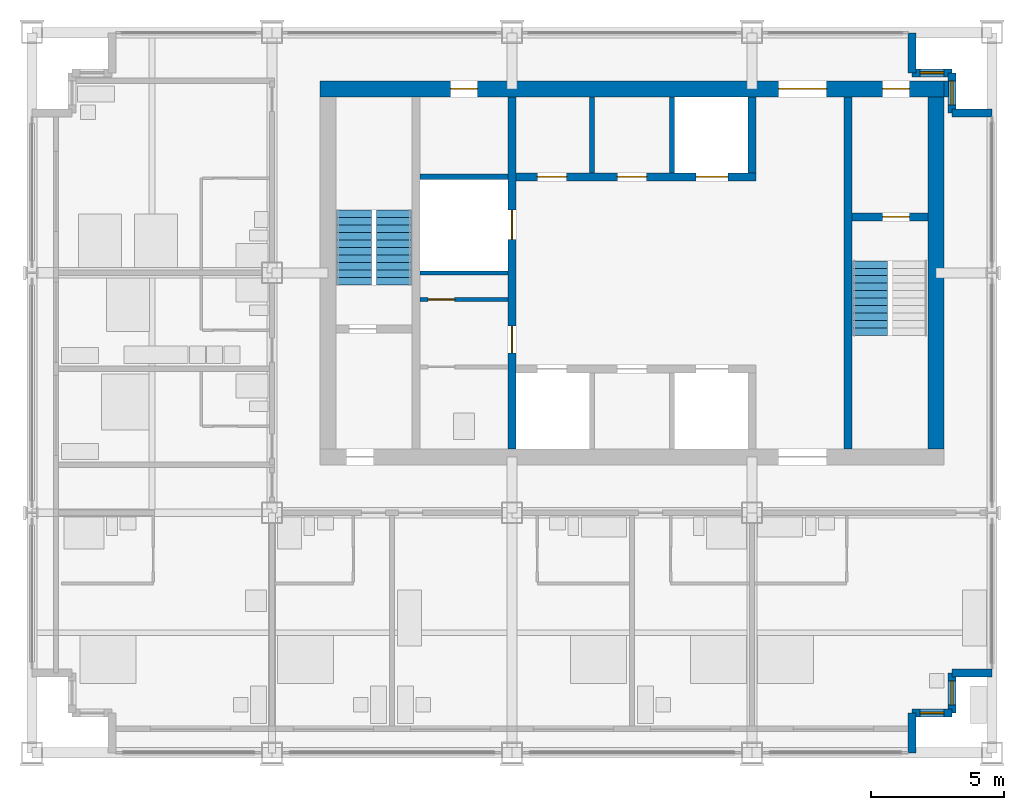
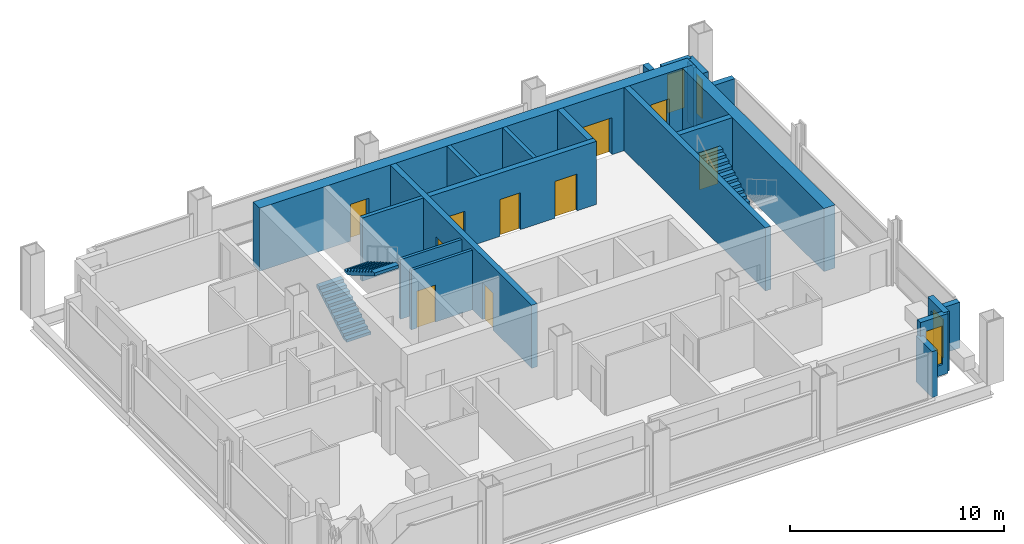
# One storey, part 8 of 12: 21 walls, 10 doors, 4 windows, 3 stair flights, 14 openings, 2 elements without a shape of their own.
"""IFC4 building model written with IfcOpenShell, lengths in metres."""

from ifc_helpers import new_model, si_unit, direction, frame, frame_2d, origin, place, context, subcontext, project, spatial, polyline, rectangle, outline, extrude, material, layer, layer_set, type_object, element, fill, aggregate, save


model = new_model("IFC4")

# Units and contexts
model_context = context("Model", 3, precision=1e-05, world=origin(), true_north=direction((0.0, 1.0)))
body_context = subcontext(model_context, "Body", "Model", "MODEL_VIEW")
ifc_project = project(units=[si_unit("LENGTHUNIT", "METRE"), si_unit("AREAUNIT", "SQUARE_METRE"), si_unit("VOLUMEUNIT", "CUBIC_METRE"), si_unit("PLANEANGLEUNIT", "RADIAN"), si_unit("MASSUNIT", "GRAM", prefix="KILO")], contexts=[model_context])

# Site, building, storey
site_placement = place(None, origin())
site = spatial("IfcSite", under=ifc_project, at=site_placement, CompositionType="ELEMENT")
building_placement = place(site_placement, origin())
building = spatial("IfcBuilding", under=site, at=building_placement, Name="Loomwork Tower", CompositionType="ELEMENT")
storey_placement = place(building_placement, frame((0.0, 0.0, 233.800048828125)))
storey = spatial("IfcBuildingStorey", under=building, at=storey_placement, Name="L64", CompositionType="ELEMENT", Elevation=233.800048828125)

# Wall, openings, doors
ifc_material_1 = material(Name="Concrete 14000 psi (97 MPa)", Category="concrete")
ifc_layer_1 = layer(ifc_material_1, 0.300048828125)
ifc_layer_set_1 = layer_set([ifc_layer_1], Name="Core shear wall 300")
wall_type_1 = type_object("IfcWallType", Name="Core shear wall 300", PredefinedType="SHEAR", material=ifc_layer_set_1)
wall_1_placement = place(storey_placement, frame((18.0, 11.39990234375, 0.0), z_axis=(0.0, 0.0, 1.0), x_axis=(0.0, 1.0, 0.0)))
wall_1 = element("IfcWall", 1, at=wall_1_placement, inside=storey, type_object=wall_type_1, Name="Lobby west wall L64", PredefinedType="SHEAR", context=body_context, shape_type="SweptSolid", body=[
    extrude(rectangle(XDim=13.2001953125, YDim=0.300048828125, at=frame_2d((6.60009765625, 0.0))), origin(), (0.0, 0.0, 1.0), 3.599853515625),
])
opening_1_placement = place(wall_1_placement, frame((3.60009765625, 0.0, 0.0)))
opening_1 = element("IfcOpeningElement", 2, at=opening_1_placement, cuts=wall_1, Name="Opening D5", PredefinedType="OPENING", context=body_context, shape_type="SweptSolid", body=[
    extrude(rectangle(XDim=1.0, YDim=2.10009765625, at=frame_2d((0.5, 1.050048828125))), frame((0.0, 0.159912109375, 0.0), z_axis=(0.0, -1.0, 0.0), x_axis=(1.0, 0.0, 0.0)), (0.0, 0.0, 1.0), 0.320068359375),
])
opening_2_placement = place(wall_1_placement, frame((7.85009765625, 0.0, 0.0)))
opening_2 = element("IfcOpeningElement", 3, at=opening_2_placement, cuts=wall_1, Name="Opening LD1", PredefinedType="OPENING", context=body_context, shape_type="SweptSolid", body=[
    extrude(rectangle(XDim=1.10009765625, YDim=2.10009765625, at=frame_2d((0.550048828125, 1.050048828125))), frame((0.0, 0.159912109375, 0.0), z_axis=(0.0, -1.0, 0.0), x_axis=(1.0, 0.0, 0.0)), (0.0, 0.0, 1.0), 0.320068359375),
])
ifc_material_2 = material(Name="Hollow metal door and frame")
door_type_1 = type_object("IfcDoorType", Name="Lift landing door 1100", OperationType="SLIDING_TO_LEFT", PredefinedType="DOOR", material=ifc_material_2)
door_1_placement = place(opening_2_placement, origin())
door_1 = element("IfcDoor", 4, at=door_1_placement, inside=storey, type_object=door_type_1, Name="Lift landing door LC2", OperationType="SLIDING_TO_LEFT", OverallHeight=2.10009765625, OverallWidth=1.10009765625, PredefinedType="DOOR", context=body_context, shape_type="SweptSolid", body=[
    extrude(rectangle(XDim=1.10009765625, YDim=2.10009765625, at=frame_2d((0.550048828125, 1.050048828125))), frame((0.0, 0.02490234375, 0.0), z_axis=(0.0, -1.0, 0.0), x_axis=(1.0, 0.0, 0.0)), (0.0, 0.0, 1.0), 0.050048828125),
])
fill(opening_2, door_1)
ifc_material_3 = material(Name="Hollow metal door and frame")
door_type_2 = type_object("IfcDoorType", Name="Service door 1000", OperationType="SINGLE_SWING_LEFT", PredefinedType="DOOR", material=ifc_material_3)
door_2_placement = place(opening_1_placement, origin())
door_2 = element("IfcDoor", 5, at=door_2_placement, inside=storey, type_object=door_type_2, Name="Back-of-house door south", OperationType="SINGLE_SWING_LEFT", OverallHeight=2.10009765625, OverallWidth=1.0, PredefinedType="DOOR", context=body_context, shape_type="SweptSolid", body=[
    extrude(rectangle(XDim=1.0, YDim=2.10009765625, at=frame_2d((0.5, 1.050048828125))), frame((0.0, 0.02490234375, 0.0), z_axis=(0.0, -1.0, 0.0), x_axis=(1.0, 0.0, 0.0)), (0.0, 0.0, 1.0), 0.050048828125),
])
fill(opening_1, door_2)

wall_2_placement = place(storey_placement, frame((18.14990234375, 21.60009765625, 0.0), z_axis=(0.0, 0.0, 1.0), x_axis=(1.0, 0.0, 0.0)))
wall_2 = element("IfcWall", 6, at=wall_2_placement, inside=storey, type_object=wall_type_1, Name="Lift front wall north L64", PredefinedType="SHEAR", context=body_context, shape_type="SweptSolid", body=[
    extrude(rectangle(XDim=9.0, YDim=0.300048828125, at=frame_2d((4.5, 0.0))), origin(), (0.0, 0.0, 1.0), 3.599853515625),
])
opening_3_placement = place(wall_2_placement, frame((6.75, 0.0, 0.0)))
opening_3 = element("IfcOpeningElement", 7, at=opening_3_placement, cuts=wall_2, Name="Opening LD2", PredefinedType="OPENING", context=body_context, shape_type="SweptSolid", body=[
    extrude(rectangle(XDim=1.199951171875, YDim=2.10009765625, at=frame_2d((0.60009765625, 1.050048828125))), frame((0.0, 0.159912109375, 0.0), z_axis=(0.0, -1.0, 0.0), x_axis=(1.0, 0.0, 0.0)), (0.0, 0.0, 1.0), 0.320068359375),
])
opening_4_placement = place(wall_2_placement, frame((0.800048828125, 0.0, 0.0)))
opening_4 = element("IfcOpeningElement", 8, at=opening_4_placement, cuts=wall_2, Name="Opening D17", PredefinedType="OPENING", context=body_context, shape_type="SweptSolid", body=[
    extrude(rectangle(XDim=1.10009765625, YDim=2.10009765625, at=frame_2d((0.550048828125, 1.050048828125))), frame((0.0, 0.159912109375, 0.0), z_axis=(0.0, -1.0, 0.0), x_axis=(1.0, 0.0, 0.0)), (0.0, 0.0, 1.0), 0.320068359375),
])
opening_5_placement = place(wall_2_placement, frame((3.800048828125, 0.0, 0.0)))
opening_5 = element("IfcOpeningElement", 9, at=opening_5_placement, cuts=wall_2, Name="Opening D17", PredefinedType="OPENING", context=body_context, shape_type="SweptSolid", body=[
    extrude(rectangle(XDim=1.10009765625, YDim=2.10009765625, at=frame_2d((0.550048828125, 1.050048828125))), frame((0.0, 0.159912109375, 0.0), z_axis=(0.0, -1.0, 0.0), x_axis=(1.0, 0.0, 0.0)), (0.0, 0.0, 1.0), 0.320068359375),
])
ifc_material_4 = material(Name="Hollow metal door and frame")
door_type_3 = type_object("IfcDoorType", Name="Lift landing door 1200", OperationType="SLIDING_TO_LEFT", PredefinedType="DOOR", material=ifc_material_4)
door_3_placement = place(opening_3_placement, origin())
door_3 = element("IfcDoor", 10, at=door_3_placement, inside=storey, type_object=door_type_3, Name="Lift landing door LF2", OperationType="SLIDING_TO_LEFT", OverallHeight=2.10009765625, OverallWidth=1.199951171875, PredefinedType="DOOR", context=body_context, shape_type="SweptSolid", body=[
    extrude(rectangle(XDim=1.199951171875, YDim=2.10009765625, at=frame_2d((0.60009765625, 1.050048828125))), frame((0.0, 0.02490234375, 0.0), z_axis=(0.0, -1.0, 0.0), x_axis=(1.0, 0.0, 0.0)), (0.0, 0.0, 1.0), 0.050048828125),
])
fill(opening_3, door_3)
ifc_material_5 = material(Name="Hollow metal door and frame")
door_type_4 = type_object("IfcDoorType", Name="Service room door 1100", OperationType="SINGLE_SWING_LEFT", PredefinedType="DOOR", material=ifc_material_5)
door_4_placement = place(opening_4_placement, origin())
door_4 = element("IfcDoor", 11, at=door_4_placement, inside=storey, type_object=door_type_4, Name="Housekeeping store door L64", OperationType="SINGLE_SWING_LEFT", OverallHeight=2.10009765625, OverallWidth=1.10009765625, PredefinedType="DOOR", context=body_context, shape_type="SweptSolid", body=[
    extrude(rectangle(XDim=1.10009765625, YDim=2.10009765625, at=frame_2d((0.550048828125, 1.050048828125))), frame((0.0, 0.02490234375, 0.0), z_axis=(0.0, -1.0, 0.0), x_axis=(1.0, 0.0, 0.0)), (0.0, 0.0, 1.0), 0.050048828125),
])
fill(opening_4, door_4)
door_5_placement = place(opening_5_placement, origin())
door_5 = element("IfcDoor", 12, at=door_5_placement, inside=storey, type_object=door_type_4, Name="Guest pantry, ice and vending door L64", OperationType="SINGLE_SWING_LEFT", OverallHeight=2.10009765625, OverallWidth=1.10009765625, PredefinedType="DOOR", context=body_context, shape_type="SweptSolid", body=[
    extrude(rectangle(XDim=1.10009765625, YDim=2.10009765625, at=frame_2d((0.550048828125, 1.050048828125))), frame((0.0, 0.02490234375, 0.0), z_axis=(0.0, -1.0, 0.0), x_axis=(1.0, 0.0, 0.0)), (0.0, 0.0, 1.0), 0.050048828125),
])
fill(opening_5, door_5)

# Walls
wall_3_placement = place(storey_placement, frame((27.0, 21.75, 0.0), z_axis=(0.0, 0.0, 1.0), x_axis=(0.0, 1.0, 0.0)))
element("IfcWall", 13, at=wall_3_placement, inside=storey, type_object=wall_type_1, Name="Lift shaft end wall north L64", PredefinedType="SHEAR", context=body_context, shape_type="SweptSolid", body=[
    extrude(rectangle(XDim=2.85009765625, YDim=0.300048828125, at=frame_2d((1.425048828125, 0.0))), origin(), (0.0, 0.0, 1.0), 3.599853515625),
])
wall_4_placement = place(storey_placement, frame((30.60009765625, 11.39990234375, 0.0), z_axis=(0.0, 0.0, 1.0), x_axis=(0.0, 1.0, 0.0)))
element("IfcWall", 14, at=wall_4_placement, inside=storey, type_object=wall_type_1, Name="Stair B west wall L64", PredefinedType="SHEAR", context=body_context, shape_type="SweptSolid", body=[
    extrude(rectangle(XDim=13.2001953125, YDim=0.300048828125, at=frame_2d((6.60009765625, 0.0))), origin(), (0.0, 0.0, 1.0), 3.599853515625),
])

# Wall, opening, door
wall_5_placement = place(storey_placement, frame((30.75, 20.10009765625, 0.0), z_axis=(0.0, 0.0, 1.0), x_axis=(1.0, 0.0, 0.0)))
wall_5 = element("IfcWall", 15, at=wall_5_placement, inside=storey, type_object=wall_type_1, Name="Stair B north wall L64", PredefinedType="SHEAR", context=body_context, shape_type="SweptSolid", body=[
    extrude(rectangle(XDim=2.85009765625, YDim=0.300048828125, at=frame_2d((1.425048828125, 0.0))), origin(), (0.0, 0.0, 1.0), 3.599853515625),
])
opening_6_placement = place(wall_5_placement, frame((1.14990234375, 0.0, 0.0)))
opening_6 = element("IfcOpeningElement", 16, at=opening_6_placement, cuts=wall_5, Name="Opening D4", PredefinedType="OPENING", context=body_context, shape_type="SweptSolid", body=[
    extrude(rectangle(XDim=1.0, YDim=2.10009765625, at=frame_2d((0.5, 1.050048828125))), frame((0.0, 0.159912109375, 0.0), z_axis=(0.0, -1.0, 0.0), x_axis=(1.0, 0.0, 0.0)), (0.0, 0.0, 1.0), 0.320068359375),
])
ifc_material_6 = material(Name="Hollow metal door and frame")
door_type_5 = type_object("IfcDoorType", Name="Stair door 1000", OperationType="SINGLE_SWING_RIGHT", PredefinedType="DOOR", material=ifc_material_6)
door_6_placement = place(opening_6_placement, frame((1.0, 0.0, 0.0), z_axis=(0.0, 0.0, 1.0), x_axis=(-1.0, 0.0, 0.0)))
door_6 = element("IfcDoor", 17, at=door_6_placement, inside=storey, type_object=door_type_5, Name="Stair B door", OperationType="SINGLE_SWING_LEFT", OverallHeight=2.10009765625, OverallWidth=1.0, PredefinedType="DOOR", context=body_context, shape_type="SweptSolid", body=[
    extrude(rectangle(XDim=1.0, YDim=2.10009765625, at=frame_2d((0.5, 1.050048828125))), frame((0.0, 0.02490234375, 0.0), z_axis=(0.0, -1.0, 0.0), x_axis=(1.0, 0.0, 0.0)), (0.0, 0.0, 1.0), 0.050048828125),
])
fill(opening_6, door_6)

# Wall, openings, doors
ifc_material_7 = material(Name="Concrete 14000 psi (97 MPa)", Category="concrete")
ifc_layer_2 = layer(ifc_material_7, 0.60009765625)
ifc_layer_set_2 = layer_set([ifc_layer_2], Name="Core shear wall 600")
wall_type_2 = type_object("IfcWallType", Name="Core shear wall 600", PredefinedType="SHEAR", material=ifc_layer_set_2)
wall_6_placement = place(storey_placement, frame((10.800048828125, 24.89990234375, 0.0), z_axis=(0.0, 0.0, 1.0), x_axis=(1.0, 0.0, 0.0)))
wall_6 = element("IfcWall", 18, at=wall_6_placement, inside=storey, type_object=wall_type_2, Name="Core wall north L64", PredefinedType="SHEAR", context=body_context, shape_type="SweptSolid", body=[
    extrude(rectangle(XDim=23.39990234375, YDim=0.60009765625, at=frame_2d((11.699951171875, 0.0))), origin(), (0.0, 0.0, 1.0), 3.599853515625),
])
opening_7_placement = place(wall_6_placement, frame((17.199951171875, 0.0, 0.0)))
opening_7 = element("IfcOpeningElement", 19, at=opening_7_placement, cuts=wall_6, Name="Opening D6", PredefinedType="OPENING", context=body_context, shape_type="SweptSolid", body=[
    extrude(rectangle(XDim=1.800048828125, YDim=2.10009765625, at=frame_2d((0.89990234375, 1.050048828125))), frame((0.0, 0.31005859375, 0.0), z_axis=(0.0, -1.0, 0.0), x_axis=(1.0, 0.0, 0.0)), (0.0, 0.0, 1.0), 0.6201171875),
])
opening_8_placement = place(wall_6_placement, frame((21.10009765625, 0.0, 0.0)))
opening_8 = element("IfcOpeningElement", 20, at=opening_8_placement, cuts=wall_6, Name="Opening D4", PredefinedType="OPENING", context=body_context, shape_type="SweptSolid", body=[
    extrude(rectangle(XDim=1.0, YDim=2.10009765625, at=frame_2d((0.5, 1.050048828125))), frame((0.0, 0.31005859375, 0.0), z_axis=(0.0, -1.0, 0.0), x_axis=(1.0, 0.0, 0.0)), (0.0, 0.0, 1.0), 0.6201171875),
])
opening_9_placement = place(wall_6_placement, frame((4.89990234375, 0.0, 0.0)))
opening_9 = element("IfcOpeningElement", 21, at=opening_9_placement, cuts=wall_6, Name="Opening D5", PredefinedType="OPENING", context=body_context, shape_type="SweptSolid", body=[
    extrude(rectangle(XDim=1.0, YDim=2.10009765625, at=frame_2d((0.5, 1.050048828125))), frame((0.0, 0.31005859375, 0.0), z_axis=(0.0, -1.0, 0.0), x_axis=(1.0, 0.0, 0.0)), (0.0, 0.0, 1.0), 0.6201171875),
])
ifc_material_8 = material(Name="Hollow metal door and frame")
door_type_6 = type_object("IfcDoorType", Name="Lobby passage double door 1800", OperationType="DOUBLE_DOOR_SINGLE_SWING", PredefinedType="DOOR", material=ifc_material_8)
door_7_placement = place(opening_7_placement, frame((1.800048828125, 0.0, 0.0), z_axis=(0.0, 0.0, 1.0), x_axis=(-1.0, 0.0, 0.0)))
door_7 = element("IfcDoor", 22, at=door_7_placement, inside=storey, type_object=door_type_6, Name="Lobby passage door north", OperationType="DOUBLE_DOOR_SINGLE_SWING", OverallHeight=2.10009765625, OverallWidth=1.800048828125, PredefinedType="DOOR", context=body_context, shape_type="SweptSolid", body=[
    extrude(rectangle(XDim=1.800048828125, YDim=2.10009765625, at=frame_2d((0.89990234375, 1.050048828125))), frame((0.0, 0.02490234375, 0.0), z_axis=(0.0, -1.0, 0.0), x_axis=(1.0, 0.0, 0.0)), (0.0, 0.0, 1.0), 0.050048828125),
])
fill(opening_7, door_7)
door_8_placement = place(opening_9_placement, frame((1.0, 0.0, 0.0), z_axis=(0.0, 0.0, 1.0), x_axis=(-1.0, 0.0, 0.0)))
door_8 = element("IfcDoor", 23, at=door_8_placement, inside=storey, type_object=door_type_2, Name="Back-of-house door north", OperationType="SINGLE_SWING_LEFT", OverallHeight=2.10009765625, OverallWidth=1.0, PredefinedType="DOOR", context=body_context, shape_type="SweptSolid", body=[
    extrude(rectangle(XDim=1.0, YDim=2.10009765625, at=frame_2d((0.5, 1.050048828125))), frame((0.0, 0.02490234375, 0.0), z_axis=(0.0, -1.0, 0.0), x_axis=(1.0, 0.0, 0.0)), (0.0, 0.0, 1.0), 0.050048828125),
])
fill(opening_9, door_8)
door_9_placement = place(opening_8_placement, frame((1.0, 0.0, 0.0), z_axis=(0.0, 0.0, 1.0), x_axis=(-1.0, 0.0, 0.0)))
door_9 = element("IfcDoor", 24, at=door_9_placement, inside=storey, type_object=door_type_5, Name="Stair B vestibule door", OperationType="SINGLE_SWING_LEFT", OverallHeight=2.10009765625, OverallWidth=1.0, PredefinedType="DOOR", context=body_context, shape_type="SweptSolid", body=[
    extrude(rectangle(XDim=1.0, YDim=2.10009765625, at=frame_2d((0.5, 1.050048828125))), frame((0.0, 0.02490234375, 0.0), z_axis=(0.0, -1.0, 0.0), x_axis=(1.0, 0.0, 0.0)), (0.0, 0.0, 1.0), 0.050048828125),
])
fill(opening_8, door_9)

# Walls
wall_7_placement = place(storey_placement, frame((33.89990234375, 11.39990234375, 0.0), z_axis=(0.0, 0.0, 1.0), x_axis=(0.0, 1.0, 0.0)))
element("IfcWall", 25, at=wall_7_placement, inside=storey, type_object=wall_type_2, Name="Core wall east L64", PredefinedType="SHEAR", context=body_context, shape_type="SweptSolid", body=[
    extrude(rectangle(XDim=13.2001953125, YDim=0.60009765625, at=frame_2d((6.60009765625, 0.0))), origin(), (0.0, 0.0, 1.0), 3.599853515625),
])
ifc_material_9 = material(Name="Concrete 14000 psi (97 MPa)", Category="concrete")
ifc_layer_3 = layer(ifc_material_9, 0.199951171875)
ifc_layer_set_3 = layer_set([ifc_layer_3], Name="Lift shaft wall 200")
wall_type_3 = type_object("IfcWallType", Name="Lift shaft wall 200", PredefinedType="SHEAR", material=ifc_layer_set_3)
for number, where, z_axis, x_axis, name in (
    (26, (21.0, 21.75, 0.0), (0.0, 0.0, 1.0), (0.0, 1.0, 0.0), "Lift shaft separation wall north 1 L64"),
    (27, (24.0, 21.75, 0.0), (0.0, 0.0, 1.0), (0.0, 1.0, 0.0), "Lift shaft separation wall north 2 L64"),
):
    element("IfcWall", number, at=place(storey_placement, frame(where, z_axis=z_axis, x_axis=x_axis)), inside=storey, type_object=wall_type_3, Name=name, PredefinedType="SHEAR", context=body_context, shape_type="SweptSolid", body=[
        extrude(rectangle(XDim=2.85009765625, YDim=0.199951171875, at=frame_2d((1.425048828125, 0.0))), origin(), (0.0, 0.0, 1.0), 3.599853515625),
    ])
wall_8_placement = place(storey_placement, frame((14.550048828125, 21.60009765625, 0.0), z_axis=(0.0, 0.0, 1.0), x_axis=(1.0, 0.0, 0.0)))
element("IfcWall", 28, at=wall_8_placement, inside=storey, type_object=wall_type_3, Name="Lift shaft wall west north L64", PredefinedType="SHEAR", context=body_context, shape_type="SweptSolid", body=[
    extrude(rectangle(XDim=3.300048828125, YDim=0.199951171875, at=frame_2d((1.64990234375, 0.0))), origin(), (0.0, 0.0, 1.0), 3.599853515625),
])
ifc_material_10 = material(Name="Limestone on concrete masonry", Category="masonry")
ifc_layer_4 = layer(ifc_material_10, 0.300048828125)
ifc_layer_set_4 = layer_set([ifc_layer_4], Name="Limestone corner wall 300")
wall_type_4 = type_object("IfcWallType", Name="Limestone corner wall 300", PredefinedType="SOLIDWALL", material=ifc_layer_set_4)
wall_9_placement = place(storey_placement, frame((33.0, 0.0, 0.0), z_axis=(0.0, 0.0, 1.0), x_axis=(0.0, 1.0, 0.0)))
element("IfcWall", 29, at=wall_9_placement, inside=storey, type_object=wall_type_4, Name="Stone corner wall SE 1", PredefinedType="SOLIDWALL", context=body_context, shape_type="SweptSolid", body=[
    extrude(rectangle(XDim=1.5, YDim=0.300048828125, at=frame_2d((0.75, 0.0))), origin(), (0.0, 0.0, 1.0), 2.619873046875),
])

# Wall, opening, window
wall_10_placement = place(storey_placement, frame((33.0, 1.5, 0.0), z_axis=(0.0, 0.0, 1.0), x_axis=(1.0, 0.0, 0.0)))
wall_10 = element("IfcWall", 30, at=wall_10_placement, inside=storey, type_object=wall_type_4, Name="Stone corner wall SE 2", PredefinedType="SOLIDWALL", context=body_context, shape_type="SweptSolid", body=[
    extrude(rectangle(XDim=1.5, YDim=0.300048828125, at=frame_2d((0.75, 0.0))), origin(), (0.0, 0.0, 1.0), 3.39990234375),
])
opening_10_placement = place(wall_10_placement, frame((0.300048828125, 0.0, 0.60009765625)))
opening_10 = element("IfcOpeningElement", 31, at=opening_10_placement, cuts=wall_10, Name="Opening CH2", PredefinedType="OPENING", context=body_context, shape_type="SweptSolid", body=[
    extrude(rectangle(XDim=0.89990234375, YDim=2.199951171875, at=frame_2d((0.449951171875, 1.10009765625))), frame((0.0, 0.159912109375, 0.0), z_axis=(0.0, -1.0, 0.0), x_axis=(1.0, 0.0, 0.0)), (0.0, 0.0, 1.0), 0.320068359375),
])
ifc_material_11 = material(Name="Aluminium frame with clear insulated glass", Category="aluminium")
window_type = type_object("IfcWindowType", Name="Corner window 900", PartitioningType="SINGLE_PANEL", PredefinedType="WINDOW", material=ifc_material_11)
window_1_placement = place(opening_10_placement, origin())
window_1 = element("IfcWindow", 32, at=window_1_placement, inside=storey, type_object=window_type, Name="Corner window SE", OverallHeight=2.199951171875, OverallWidth=0.89990234375, PartitioningType="SINGLE_PANEL", PredefinedType="WINDOW", context=body_context, shape_type="SweptSolid", body=[
    extrude(rectangle(XDim=0.89990234375, YDim=2.199951171875, at=frame_2d((0.449951171875, 1.10009765625))), frame((0.0, 0.030029296875, 0.0), z_axis=(0.0, -1.0, 0.0), x_axis=(1.0, 0.0, 0.0)), (0.0, 0.0, 1.0), 0.06005859375),
])
fill(opening_10, window_1)

wall_11_placement = place(storey_placement, frame((34.5, 1.5, 0.0), z_axis=(0.0, 0.0, 1.0), x_axis=(0.0, 1.0, 0.0)))
wall_11 = element("IfcWall", 33, at=wall_11_placement, inside=storey, type_object=wall_type_4, Name="Stone corner wall SE 3", PredefinedType="SOLIDWALL", context=body_context, shape_type="SweptSolid", body=[
    extrude(rectangle(XDim=1.5, YDim=0.300048828125, at=frame_2d((0.75, 0.0))), origin(), (0.0, 0.0, 1.0), 3.39990234375),
])
opening_11_placement = place(wall_11_placement, frame((0.300048828125, 0.0, 0.60009765625)))
opening_11 = element("IfcOpeningElement", 34, at=opening_11_placement, cuts=wall_11, Name="Opening CH2", PredefinedType="OPENING", context=body_context, shape_type="SweptSolid", body=[
    extrude(rectangle(XDim=0.89990234375, YDim=2.199951171875, at=frame_2d((0.449951171875, 1.10009765625))), frame((0.0, 0.159912109375, 0.0), z_axis=(0.0, -1.0, 0.0), x_axis=(1.0, 0.0, 0.0)), (0.0, 0.0, 1.0), 0.320068359375),
])
window_2_placement = place(opening_11_placement, origin())
window_2 = element("IfcWindow", 35, at=window_2_placement, inside=storey, type_object=window_type, Name="Corner window SE", OverallHeight=2.199951171875, OverallWidth=0.89990234375, PartitioningType="SINGLE_PANEL", PredefinedType="WINDOW", context=body_context, shape_type="SweptSolid", body=[
    extrude(rectangle(XDim=0.89990234375, YDim=2.199951171875, at=frame_2d((0.449951171875, 1.10009765625))), frame((0.0, 0.030029296875, 0.0), z_axis=(0.0, -1.0, 0.0), x_axis=(1.0, 0.0, 0.0)), (0.0, 0.0, 1.0), 0.06005859375),
])
fill(opening_11, window_2)

# Walls
for number, where, z_axis, x_axis, name in (
    (36, (34.5, 3.0, 0.0), (0.0, 0.0, 1.0), (1.0, 0.0, 0.0), "Stone corner wall SE 4"),
    (37, (36.0, 24.0, 0.0), (0.0, 0.0, 1.0), (-1.0, 0.0, 0.0), "Stone corner wall NE 1"),
):
    element("IfcWall", number, at=place(storey_placement, frame(where, z_axis=z_axis, x_axis=x_axis)), inside=storey, type_object=wall_type_4, Name=name, PredefinedType="SOLIDWALL", context=body_context, shape_type="SweptSolid", body=[
        extrude(rectangle(XDim=1.5, YDim=0.300048828125, at=frame_2d((0.75, 0.0))), origin(), (0.0, 0.0, 1.0), 2.619873046875),
    ])

# Wall, opening, window
wall_12_placement = place(storey_placement, frame((34.5, 24.0, 0.0), z_axis=(0.0, 0.0, 1.0), x_axis=(0.0, 1.0, 0.0)))
wall_12 = element("IfcWall", 38, at=wall_12_placement, inside=storey, type_object=wall_type_4, Name="Stone corner wall NE 2", PredefinedType="SOLIDWALL", context=body_context, shape_type="SweptSolid", body=[
    extrude(rectangle(XDim=1.5, YDim=0.300048828125, at=frame_2d((0.75, 0.0))), origin(), (0.0, 0.0, 1.0), 3.39990234375),
])
opening_12_placement = place(wall_12_placement, frame((0.300048828125, 0.0, 0.60009765625)))
opening_12 = element("IfcOpeningElement", 39, at=opening_12_placement, cuts=wall_12, Name="Opening CH2", PredefinedType="OPENING", context=body_context, shape_type="SweptSolid", body=[
    extrude(rectangle(XDim=0.89990234375, YDim=2.199951171875, at=frame_2d((0.449951171875, 1.10009765625))), frame((0.0, 0.159912109375, 0.0), z_axis=(0.0, -1.0, 0.0), x_axis=(1.0, 0.0, 0.0)), (0.0, 0.0, 1.0), 0.320068359375),
])
window_3_placement = place(opening_12_placement, origin())
window_3 = element("IfcWindow", 40, at=window_3_placement, inside=storey, type_object=window_type, Name="Corner window NE", OverallHeight=2.199951171875, OverallWidth=0.89990234375, PartitioningType="SINGLE_PANEL", PredefinedType="WINDOW", context=body_context, shape_type="SweptSolid", body=[
    extrude(rectangle(XDim=0.89990234375, YDim=2.199951171875, at=frame_2d((0.449951171875, 1.10009765625))), frame((0.0, 0.030029296875, 0.0), z_axis=(0.0, -1.0, 0.0), x_axis=(1.0, 0.0, 0.0)), (0.0, 0.0, 1.0), 0.06005859375),
])
fill(opening_12, window_3)

wall_13_placement = place(storey_placement, frame((34.5, 25.5, 0.0), z_axis=(0.0, 0.0, 1.0), x_axis=(-1.0, 0.0, 0.0)))
wall_13 = element("IfcWall", 41, at=wall_13_placement, inside=storey, type_object=wall_type_4, Name="Stone corner wall NE 3", PredefinedType="SOLIDWALL", context=body_context, shape_type="SweptSolid", body=[
    extrude(rectangle(XDim=1.5, YDim=0.300048828125, at=frame_2d((0.75, 0.0))), origin(), (0.0, 0.0, 1.0), 3.39990234375),
])
opening_13_placement = place(wall_13_placement, frame((0.300048828125, 0.0, 0.60009765625)))
opening_13 = element("IfcOpeningElement", 42, at=opening_13_placement, cuts=wall_13, Name="Opening CH2", PredefinedType="OPENING", context=body_context, shape_type="SweptSolid", body=[
    extrude(rectangle(XDim=0.89990234375, YDim=2.199951171875, at=frame_2d((0.449951171875, 1.10009765625))), frame((0.0, 0.159912109375, 0.0), z_axis=(0.0, -1.0, 0.0), x_axis=(1.0, 0.0, 0.0)), (0.0, 0.0, 1.0), 0.320068359375),
])
window_4_placement = place(opening_13_placement, origin())
window_4 = element("IfcWindow", 43, at=window_4_placement, inside=storey, type_object=window_type, Name="Corner window NE", OverallHeight=2.199951171875, OverallWidth=0.89990234375, PartitioningType="SINGLE_PANEL", PredefinedType="WINDOW", context=body_context, shape_type="SweptSolid", body=[
    extrude(rectangle(XDim=0.89990234375, YDim=2.199951171875, at=frame_2d((0.449951171875, 1.10009765625))), frame((0.0, 0.030029296875, 0.0), z_axis=(0.0, -1.0, 0.0), x_axis=(1.0, 0.0, 0.0)), (0.0, 0.0, 1.0), 0.06005859375),
])
fill(opening_13, window_4)

# Walls
wall_14_placement = place(storey_placement, frame((33.0, 25.5, 0.0), z_axis=(0.0, 0.0, 1.0), x_axis=(0.0, 1.0, 0.0)))
element("IfcWall", 44, at=wall_14_placement, inside=storey, type_object=wall_type_4, Name="Stone corner wall NE 4", PredefinedType="SOLIDWALL", context=body_context, shape_type="SweptSolid", body=[
    extrude(rectangle(XDim=1.5, YDim=0.300048828125, at=frame_2d((0.75, 0.0))), origin(), (0.0, 0.0, 1.0), 2.619873046875),
])
ifc_material_12 = material(Name="Gypsum board on steel studs", Category="steel")
ifc_layer_5 = layer(ifc_material_12, 0.14990234375)
ifc_layer_set_5 = layer_set([ifc_layer_5], Name="Partition 150 two-hour")
wall_type_5 = type_object("IfcWallType", Name="Partition 150 two-hour", PredefinedType="PARTITIONING", material=ifc_layer_set_5)
wall_15_placement = place(storey_placement, frame((14.550048828125, 18.0, 0.0), z_axis=(0.0, 0.0, 1.0), x_axis=(1.0, 0.0, 0.0)))
element("IfcWall", 45, at=wall_15_placement, inside=storey, type_object=wall_type_5, Name="Back-of-house dividing wall L64", PredefinedType="PARTITIONING", context=body_context, shape_type="SweptSolid", body=[
    extrude(rectangle(XDim=3.300048828125, YDim=0.14990234375, at=frame_2d((1.64990234375, 0.0))), origin(), (0.0, 0.0, 1.0), 3.39990234375),
])
ifc_material_13 = material(Name="Gypsum board on steel studs, one-hour", Category="steel")
ifc_layer_6 = layer(ifc_material_13, 0.14990234375)
ifc_layer_set_6 = layer_set([ifc_layer_6], Name="Service partition 150")
wall_type_6 = type_object("IfcWallType", Name="Service partition 150", PredefinedType="PARTITIONING", material=ifc_layer_set_6)
wall_16_placement = place(storey_placement, frame((34.199951171875, 24.89990234375, 0.0), z_axis=(0.0, 0.0, 1.0), x_axis=(1.0, 0.0, 0.0)))
element("IfcWall", 46, at=wall_16_placement, inside=storey, type_object=wall_type_6, Name="Core wall infill L64", PredefinedType="PARTITIONING", context=body_context, shape_type="SweptSolid", body=[
    extrude(rectangle(XDim=0.16015625, YDim=0.60009765625, at=frame_2d((0.080078125, 0.0))), origin(), (0.0, 0.0, 1.0), 3.39990234375),
])

# Wall, opening, door
wall_17_placement = place(storey_placement, frame((14.550048828125, 17.0, 0.0), z_axis=(0.0, 0.0, 1.0), x_axis=(1.0, 0.0, 0.0)))
wall_17 = element("IfcWall", 47, at=wall_17_placement, inside=storey, type_object=wall_type_6, Name="Riser enclosure L64", PredefinedType="PARTITIONING", context=body_context, shape_type="SweptSolid", body=[
    extrude(rectangle(XDim=3.300048828125, YDim=0.14990234375, at=frame_2d((1.64990234375, 0.0))), origin(), (0.0, 0.0, 1.0), 3.39990234375),
])
opening_14_placement = place(wall_17_placement, frame((0.300048828125, 0.0, 0.0)))
opening_14 = element("IfcOpeningElement", 48, at=opening_14_placement, cuts=wall_17, Name="Opening D18", PredefinedType="OPENING", context=body_context, shape_type="SweptSolid", body=[
    extrude(rectangle(XDim=1.0, YDim=2.10009765625, at=frame_2d((0.5, 1.050048828125))), frame((0.0, 0.0849609375, 0.0), z_axis=(0.0, -1.0, 0.0), x_axis=(1.0, 0.0, 0.0)), (0.0, 0.0, 1.0), 0.169921875),
])
ifc_material_14 = material(Name="Hollow metal door and frame")
door_type_7 = type_object("IfcDoorType", Name="Ninety-minute service door 1000", OperationType="SINGLE_SWING_LEFT", PredefinedType="DOOR", material=ifc_material_14)
door_10_placement = place(opening_14_placement, frame((1.0, 0.0, 0.0), z_axis=(0.0, 0.0, 1.0), x_axis=(-1.0, 0.0, 0.0)))
door_10 = element("IfcDoor", 49, at=door_10_placement, inside=storey, type_object=door_type_7, Name="Riser access door", OperationType="SINGLE_SWING_RIGHT", OverallHeight=2.10009765625, OverallWidth=1.0, PredefinedType="DOOR", context=body_context, shape_type="SweptSolid", body=[
    extrude(rectangle(XDim=1.0, YDim=2.10009765625, at=frame_2d((0.5, 1.050048828125))), frame((0.0, 0.02490234375, 0.0), z_axis=(0.0, -1.0, 0.0), x_axis=(1.0, 0.0, 0.0)), (0.0, 0.0, 1.0), 0.050048828125),
])
fill(opening_14, door_10)

# Stair, stair flights
ifc_material_15 = material(Name="Concrete 5000 psi (34 MPa) precast stair", Category="concrete")
stair_type_1 = type_object("IfcStairType", Name="Stair ST-A 22 risers 2850 wide", PredefinedType="HALF_TURN_STAIR", material=ifc_material_15)
stair_1_placement = place(storey_placement, origin())
stair_1 = element("IfcStair", 50, at=stair_1_placement, inside=storey, type_object=stair_type_1, Name="Stair A L64", PredefinedType="HALF_TURN_STAIR")
ifc_material_16 = material(Name="Concrete 5000 psi (34 MPa) precast stair", Category="concrete")
stair_flight_type_1 = type_object("IfcStairFlightType", Name="Stair flight ST-A 11 risers 1300 wide", PredefinedType="STRAIGHT", material=ifc_material_16)
stair_flight_1_placement = place(storey_placement, frame((12.074951171875, 17.550048828125, 0.0), z_axis=(0.0, 0.0, 1.0), x_axis=(0.0, 1.0, 0.0)))
stair_flight_1 = element("IfcStairFlight", 51, at=stair_flight_1_placement, type_object=stair_flight_type_1, Name="ST-A flight 1", NumberOfRisers=11, NumberOfTreads=10, PredefinedType="STRAIGHT", RiserHeight=0.163636364, TreadLength=0.28, context=body_context, shape_type="SweptSolid", body=[
    extrude(outline(polyline([(0.0, 0.0), (0.0, 0.16357421875), (0.280029296875, 0.16357421875), (0.280029296875, 0.327392578125), (0.56005859375, 0.327392578125), (0.56005859375, 0.490966796875), (0.840087890625, 0.490966796875), (0.840087890625, 0.654541015625), (1.1201171875, 0.654541015625), (1.1201171875, 0.818115234375), (1.39990234375, 0.818115234375), (1.39990234375, 0.98193359375), (1.679931640625, 0.98193359375), (1.679931640625, 1.1455078125), (1.9599609375, 1.1455078125), (1.9599609375, 1.30908203125), (2.239990234375, 1.30908203125), (2.239990234375, 1.47265625), (2.52001953125, 1.47265625), (2.52001953125, 1.636474609375), (2.800048828125, 1.636474609375), (2.800048828125, 1.800048828125), (2.800048828125, 1.462646484375), (0.297119140625, 0.0), (0.0, 0.0)])), frame((0.0, 0.64990234375, 0.0), z_axis=(0.0, -1.0, 0.0), x_axis=(1.0, 0.0, 0.0)), (0.0, 0.0, 1.0), 1.300048828125),
])
stair_flight_2_placement = place(storey_placement, frame((13.574951171875, 20.35009765625, 1.800048828125), z_axis=(0.0, 0.0, 1.0), x_axis=(0.0, -1.0, 0.0)))
stair_flight_2 = element("IfcStairFlight", 52, at=stair_flight_2_placement, type_object=stair_flight_type_1, Name="ST-A flight 2", NumberOfRisers=11, NumberOfTreads=10, PredefinedType="STRAIGHT", RiserHeight=0.163636364, TreadLength=0.28, context=body_context, shape_type="SweptSolid", body=[
    extrude(outline(polyline([(0.0, 0.0), (0.0, 0.16357421875), (0.280029296875, 0.16357421875), (0.280029296875, 0.327392578125), (0.56005859375, 0.327392578125), (0.56005859375, 0.490966796875), (0.840087890625, 0.490966796875), (0.840087890625, 0.654541015625), (1.1201171875, 0.654541015625), (1.1201171875, 0.818115234375), (1.39990234375, 0.818115234375), (1.39990234375, 0.98193359375), (1.679931640625, 0.98193359375), (1.679931640625, 1.1455078125), (1.9599609375, 1.1455078125), (1.9599609375, 1.30908203125), (2.239990234375, 1.30908203125), (2.239990234375, 1.47265625), (2.52001953125, 1.47265625), (2.52001953125, 1.636474609375), (2.800048828125, 1.636474609375), (2.800048828125, 1.800048828125), (2.800048828125, 1.462646484375), (0.297119140625, 0.0), (0.0, 0.0)])), frame((0.0, 0.64990234375, 0.0), z_axis=(0.0, -1.0, 0.0), x_axis=(1.0, 0.0, 0.0)), (0.0, 0.0, 1.0), 1.300048828125),
])
aggregate(stair_1, [stair_flight_1, stair_flight_2])

# Stair, stair flight
ifc_material_17 = material(Name="Concrete 5000 psi (34 MPa) precast stair", Category="concrete")
stair_type_2 = type_object("IfcStairType", Name="Stair ST-B 22 risers 2850 wide", PredefinedType="HALF_TURN_STAIR", material=ifc_material_17)
stair_2_placement = place(storey_placement, origin())
stair_2 = element("IfcStair", 53, at=stair_2_placement, inside=storey, type_object=stair_type_2, Name="Stair B L64", PredefinedType="HALF_TURN_STAIR")
ifc_material_18 = material(Name="Concrete 5000 psi (34 MPa) precast stair", Category="concrete")
stair_flight_type_2 = type_object("IfcStairFlightType", Name="Stair flight ST-B 11 risers 1300 wide", PredefinedType="STRAIGHT", material=ifc_material_18)
stair_flight_3_placement = place(storey_placement, frame((31.425048828125, 15.64990234375, 1.800048828125), z_axis=(0.0, 0.0, 1.0), x_axis=(0.0, 1.0, 0.0)))
stair_flight_3 = element("IfcStairFlight", 54, at=stair_flight_3_placement, type_object=stair_flight_type_2, Name="ST-B flight 2", NumberOfRisers=11, NumberOfTreads=10, PredefinedType="STRAIGHT", RiserHeight=0.163636364, TreadLength=0.28, context=body_context, shape_type="SweptSolid", body=[
    extrude(outline(polyline([(0.0, 0.0), (0.0, 0.16357421875), (0.280029296875, 0.16357421875), (0.280029296875, 0.327392578125), (0.56005859375, 0.327392578125), (0.56005859375, 0.490966796875), (0.840087890625, 0.490966796875), (0.840087890625, 0.654541015625), (1.1201171875, 0.654541015625), (1.1201171875, 0.818115234375), (1.39990234375, 0.818115234375), (1.39990234375, 0.98193359375), (1.679931640625, 0.98193359375), (1.679931640625, 1.1455078125), (1.9599609375, 1.1455078125), (1.9599609375, 1.30908203125), (2.239990234375, 1.30908203125), (2.239990234375, 1.47265625), (2.52001953125, 1.47265625), (2.52001953125, 1.636474609375), (2.800048828125, 1.636474609375), (2.800048828125, 1.800048828125), (2.800048828125, 1.462646484375), (0.297119140625, 0.0), (0.0, 0.0)])), frame((0.0, 0.64990234375, 0.0), z_axis=(0.0, -1.0, 0.0), x_axis=(1.0, 0.0, 0.0)), (0.0, 0.0, 1.0), 1.300048828125),
])
aggregate(stair_2, [stair_flight_3])

save(model, "model.ifc")
